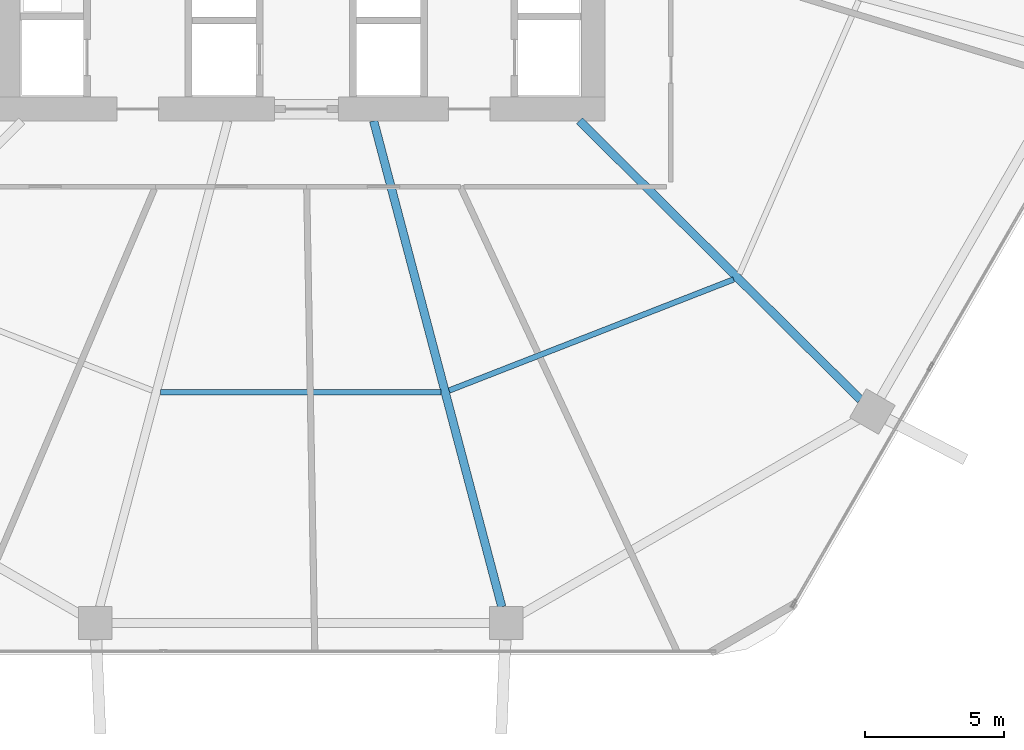
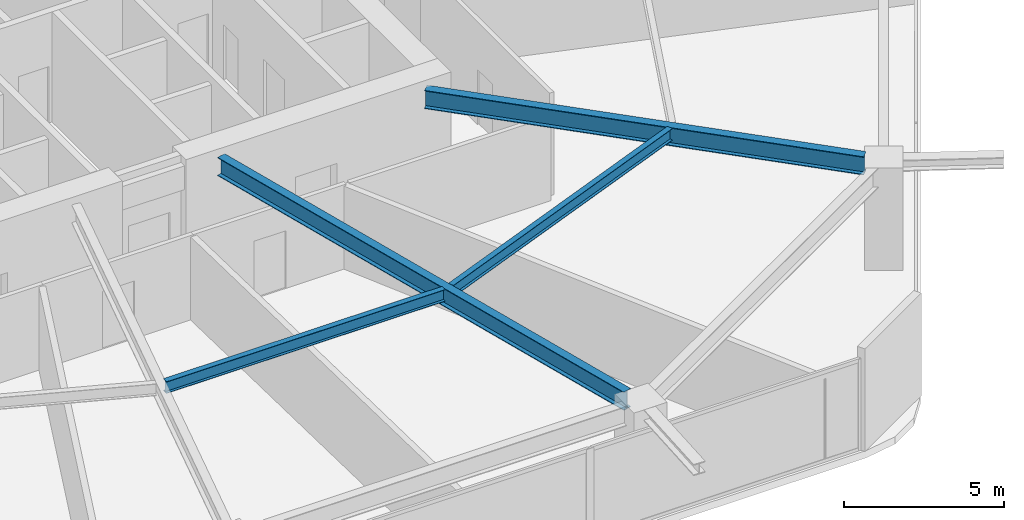
# One storey, part 8 of 25: 4 beams.
"""IFC4 building model written with IfcOpenShell, lengths in metres."""

from ifc_helpers import new_model, si_unit, direction, frame, origin, origin_2d, place, context, subcontext, project, spatial, i_section, extrude, material, material_profile, profile_set, type_object, element, save


model = new_model("IFC4")

# Units and contexts
model_context = context("Model", 3, precision=1e-05, world=origin(), true_north=direction((0.0, 1.0)))
body_context = subcontext(model_context, "Body", "Model", "MODEL_VIEW")
ifc_project = project(units=[si_unit("LENGTHUNIT", "METRE"), si_unit("AREAUNIT", "SQUARE_METRE"), si_unit("VOLUMEUNIT", "CUBIC_METRE"), si_unit("PLANEANGLEUNIT", "RADIAN"), si_unit("MASSUNIT", "GRAM", prefix="KILO")], contexts=[model_context])

# Site, building, storey
site_placement = place(None, origin())
site = spatial("IfcSite", under=ifc_project, at=site_placement, CompositionType="ELEMENT")
building_placement = place(site_placement, origin())
building = spatial("IfcBuilding", under=site, at=building_placement, Name="Zuhravey Tower", CompositionType="ELEMENT")
storey_placement = place(building_placement, frame((0.0, 0.0, 62.39990234375)))
storey = spatial("IfcBuildingStorey", under=building, at=storey_placement, Name="L15", CompositionType="ELEMENT", Elevation=62.39990234375)

# Beams
ifc_material = material(Name="Steel SM355", Category="steel")
ifc_material_profile_1 = material_profile(ifc_material, i_section(OverallWidth=0.300048828125, OverallDepth=0.699951171875, WebThickness=0.012939453125, FlangeThickness=0.02392578125, at=origin_2d()), Name="H-700x300x13x24")
ifc_profile_set_1 = profile_set([ifc_material_profile_1], Name="Steel SM355")
beam_type_1 = type_object("IfcBeamType", Name="Radial Primary Girder H700x300", PredefinedType="BEAM", material=ifc_profile_set_1)
beam_1_placement = place(storey_placement, frame((38.617919921875, 22.072021484375, 3.570068359375), z_axis=(0.254989720435, -0.966943763862, 0.0), x_axis=(0.966943763862, 0.254989720435, 0.0)))
element("IfcBeam", 1, at=beam_1_placement, inside=storey, type_object=beam_type_1, Name="L15 RG1 BM-L15-RAD-10", PredefinedType="BEAM", context=body_context, shape_type="SweptSolid", body=[
    extrude(i_section(OverallWidth=0.300048828125, OverallDepth=0.699951171875, WebThickness=0.012939453125, FlangeThickness=0.02392578125, at=origin_2d()), origin(), (0.0, 0.0, 1.0), 18.03369140625),
])
beam_2_placement = place(storey_placement, frame((46.007080078125, 22.072021484375, 3.570068359375), z_axis=(0.709902823282, -0.704299639, 0.0), x_axis=(0.704299639, 0.709902823282, 0.0)))
element("IfcBeam", 2, at=beam_2_placement, inside=storey, type_object=beam_type_1, Name="L15 RG1 BM-L15-RAD-11", PredefinedType="BEAM", context=body_context, shape_type="SweptSolid", body=[
    extrude(i_section(OverallWidth=0.300048828125, OverallDepth=0.699951171875, WebThickness=0.012939453125, FlangeThickness=0.02392578125, at=origin_2d()), origin(), (0.0, 0.0, 1.0), 14.204345703125),
])
ifc_material_profile_2 = material_profile(ifc_material, i_section(OverallWidth=0.199951171875, OverallDepth=0.449951171875, WebThickness=0.009033203125, FlangeThickness=0.013916015625, at=origin_2d()), Name="H-450x200x9x14")
ifc_profile_set_2 = profile_set([ifc_material_profile_2], Name="Steel SM355")
beam_type_2 = type_object("IfcBeamType", Name="Secondary Floor Joist H450x200", PredefinedType="JOIST", material=ifc_profile_set_2)
beam_3_placement = place(storey_placement, frame((30.969970703125, 12.3408203125, 3.695068359375), z_axis=(1.0, 0.0, 0.0), x_axis=(0.0, 1.0, 0.0)))
element("IfcBeam", 3, at=beam_3_placement, inside=storey, type_object=beam_type_2, Name="L15 SJ1 BM-L15-SJ-09-1", PredefinedType="JOIST", context=body_context, shape_type="SweptSolid", body=[
    extrude(i_section(OverallWidth=0.199951171875, OverallDepth=0.449951171875, WebThickness=0.009033203125, FlangeThickness=0.013916015625, at=origin_2d()), origin(), (0.0, 0.0, 1.0), 10.06005859375),
])
beam_4_placement = place(storey_placement, frame((41.32763671875, 12.39697265625, 3.695068359375), z_axis=(0.931516535886, 0.363698973562, 0.0), x_axis=(-0.363698973562, 0.931516535886, 0.0)))
element("IfcBeam", 4, at=beam_4_placement, inside=storey, type_object=beam_type_2, Name="L15 SJ1 BM-L15-SJ-10-1", PredefinedType="JOIST", context=body_context, shape_type="SweptSolid", body=[
    extrude(i_section(OverallWidth=0.199951171875, OverallDepth=0.449951171875, WebThickness=0.009033203125, FlangeThickness=0.013916015625, at=origin_2d()), origin(), (0.0, 0.0, 1.0), 10.963134765625),
])

save(model, "model.ifc")
